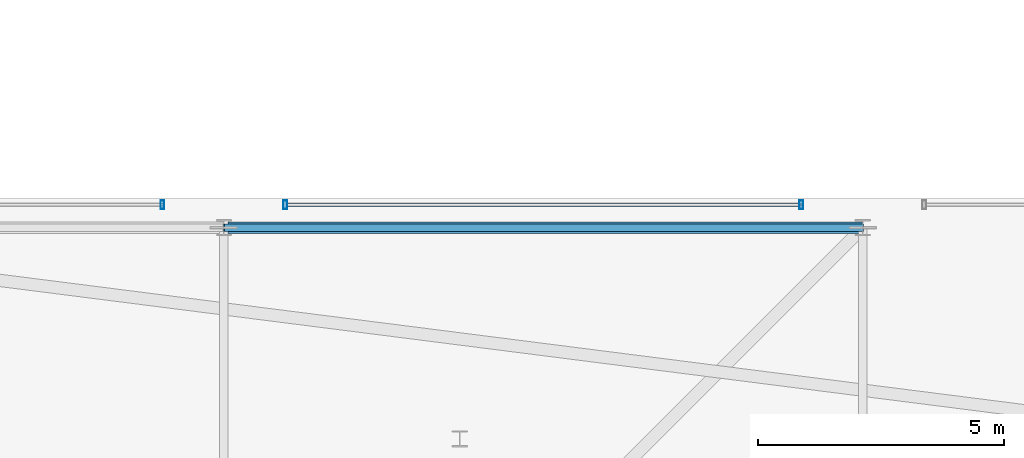
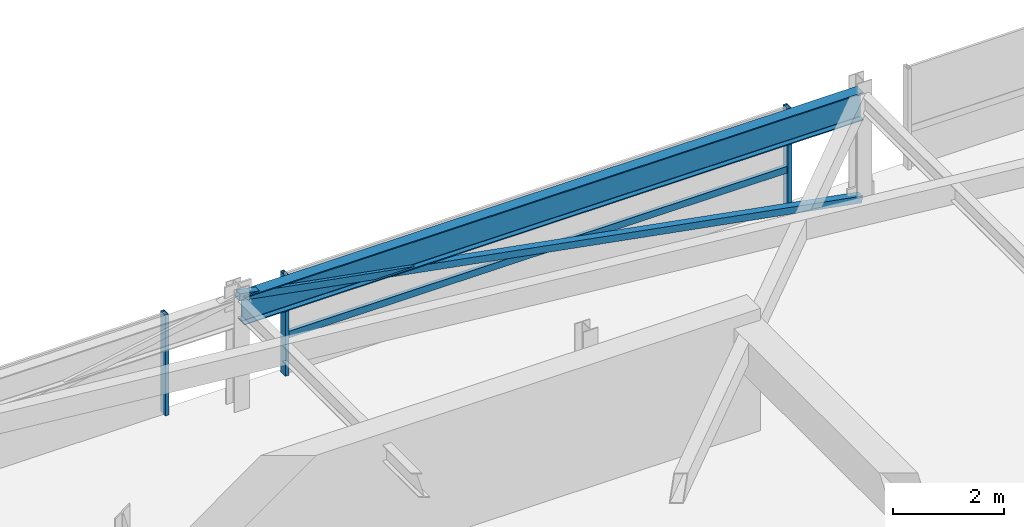
# One storey, part 26 of 44: 5 members, 1 beam, 2 elements without a shape of their own.
"""IFC4 building model written with IfcOpenShell, lengths in metres."""

from ifc_helpers import new_model, si_unit, direction, frame, origin, origin_2d, place, context, subcontext, project, spatial, hollow_rectangle, i_section, extrude, material, material_profile, profile_set, type_object, element, aggregate, save


model = new_model("IFC4")

# Units and contexts
model_context = context("Model", 3, precision=1e-05, world=origin(), true_north=direction((0.0, 1.0)))
body_context = subcontext(model_context, "Body", "Model", "MODEL_VIEW")
ifc_project = project(units=[si_unit("LENGTHUNIT", "METRE"), si_unit("AREAUNIT", "SQUARE_METRE"), si_unit("VOLUMEUNIT", "CUBIC_METRE"), si_unit("PLANEANGLEUNIT", "RADIAN"), si_unit("MASSUNIT", "GRAM", prefix="KILO")], contexts=[model_context])

# Site, building, storey
site_placement = place(None, origin())
site = spatial("IfcSite", under=ifc_project, at=site_placement, CompositionType="ELEMENT")
building_placement = place(site_placement, origin())
building = spatial("IfcBuilding", under=site, at=building_placement, Name="Thornwick Lancets Civic Towers", CompositionType="ELEMENT")
storey_placement = place(building_placement, frame((0.0, 0.0, 294.89990234375)))
storey = spatial("IfcBuildingStorey", under=building, at=storey_placement, Name="C06", CompositionType="ELEMENT", Elevation=294.89990234375)

# Beam
ifc_material_1 = material(Name="Steel S355JR", Category="steel")
ifc_material_profile_1 = material_profile(ifc_material_1, i_section(OverallWidth=0.230224609375, OverallDepth=0.6171875, WebThickness=0.01318359375, FlangeThickness=0.022216796875, FilletRadius=0.0126953125, at=origin_2d()), Name="UKB 610x229x140")
ifc_profile_set_1 = profile_set([ifc_material_profile_1], Name="Steel S355JR")
beam_type = type_object("IfcBeamType", Name="BM_GIRD_610_140", PredefinedType="BEAM", material=ifc_profile_set_1)
beam_placement = place(storey_placement, frame((25.580078125, 44.300048828125, 2.131591796875), z_axis=(1.0, 0.0, 0.0), x_axis=(0.0, 1.0, 0.0)))
element("IfcBeam", 1, at=beam_placement, inside=storey, type_object=beam_type, Name="BM-SPINE-C06-A-7-8", PredefinedType="BEAM", context=body_context, shape_type="SweptSolid", body=[
    extrude(i_section(OverallWidth=0.230224609375, OverallDepth=0.6171875, WebThickness=0.01318359375, FlangeThickness=0.022216796875, FilletRadius=0.0126953125, at=origin_2d()), origin(), (0.0, 0.0, 1.0), 12.919921875),
])

# Curtain wall, members
ifc_material_2 = material(Name="Crown ring acoustic-louvre and glazing screen wall", Category="glass")
curtain_wall_type = type_object("IfcCurtainWallType", Name="CW_SYS_07", PredefinedType="NOTDEFINED", material=ifc_material_2)
curtain_wall_1_placement = place(storey_placement, origin())
curtain_wall_1 = element("IfcCurtainWall", 2, at=curtain_wall_1_placement, inside=storey, type_object=curtain_wall_type, Name="C06 Curtain Wall CW-C06-A-E4-S2", PredefinedType="NOTDEFINED")
ifc_material_3 = material(Name="Thermally broken bronze aluminium S355", Category="steel")
ifc_material_profile_2 = material_profile(ifc_material_3, hollow_rectangle(XDim=0.074951171875, YDim=0.179931640625, WallThickness=0.006103515625, at=origin_2d()), Name="RHS 180x75x6")
ifc_profile_set_2 = profile_set([ifc_material_profile_2], Name="Thermally broken bronze aluminium S355")
member_type_1 = type_object("IfcMemberType", Name="CW_MUL_180", PredefinedType="MULLION", material=ifc_profile_set_2)
member_1_placement = place(storey_placement, frame((37.25, 44.7646484375, 0.0), z_axis=(0.0, 0.0, 1.0), x_axis=(1.0, 0.0, 0.0)))
member_1 = element("IfcMember", 3, at=member_1_placement, type_object=member_type_1, Name="CW-C06-A-E4-S2 Mullion 0", PredefinedType="MULLION", context=body_context, shape_type="SweptSolid", body=[
    extrude(hollow_rectangle(XDim=0.074951171875, YDim=0.179931640625, WallThickness=0.006103515625, at=origin_2d()), origin(), (0.0, 0.0, 1.0), 2.22021484375),
])
member_2_placement = place(storey_placement, frame((26.75, 44.7646484375, 0.0), z_axis=(0.0, 0.0, 1.0), x_axis=(1.0, 0.0, 0.0)))
member_2 = element("IfcMember", 4, at=member_2_placement, type_object=member_type_1, Name="CW-C06-A-E4-S2 Mullion 1", PredefinedType="MULLION", context=body_context, shape_type="SweptSolid", body=[
    extrude(hollow_rectangle(XDim=0.074951171875, YDim=0.179931640625, WallThickness=0.006103515625, at=origin_2d()), origin(), (0.0, 0.0, 1.0), 2.22021484375),
])

# Curtain wall, member
curtain_wall_2_placement = place(storey_placement, origin())
curtain_wall_2 = element("IfcCurtainWall", 5, at=curtain_wall_2_placement, inside=storey, type_object=curtain_wall_type, Name="C06 Curtain Wall CW-C06-A-E4-S3", PredefinedType="NOTDEFINED")
member_3_placement = place(storey_placement, frame((24.25, 44.7646484375, 0.0), z_axis=(0.0, 0.0, 1.0), x_axis=(1.0, 0.0, 0.0)))
member_3 = element("IfcMember", 6, at=member_3_placement, type_object=member_type_1, Name="CW-C06-A-E4-S3 Mullion 0", PredefinedType="MULLION", context=body_context, shape_type="SweptSolid", body=[
    extrude(hollow_rectangle(XDim=0.074951171875, YDim=0.179931640625, WallThickness=0.006103515625, at=origin_2d()), origin(), (0.0, 0.0, 1.0), 2.22021484375),
])
aggregate(curtain_wall_2, [member_3])

# Member
ifc_material_profile_3 = material_profile(ifc_material_3, hollow_rectangle(XDim=0.074951171875, YDim=0.14990234375, WallThickness=0.0048828125, at=origin_2d()), Name="RHS 150x75x5")
ifc_profile_set_3 = profile_set([ifc_material_profile_3], Name="Thermally broken bronze aluminium S355")
member_type_2 = type_object("IfcMemberType", Name="CW_TRN_150", PredefinedType="USERDEFINED", material=ifc_profile_set_3)
member_4_placement = place(storey_placement, frame((37.22998046875, 44.7646484375, 0.85009765625), z_axis=(-1.0, 0.0, 0.0), x_axis=(0.0, -1.0, 0.0)))
member_4 = element("IfcMember", 7, at=member_4_placement, type_object=member_type_2, Name="CW-C06-A-E4-S2 Transom 0", ObjectType="TRANSOM", PredefinedType="USERDEFINED", context=body_context, shape_type="SweptSolid", body=[
    extrude(hollow_rectangle(XDim=0.074951171875, YDim=0.14990234375, WallThickness=0.0048828125, at=origin_2d()), origin(), (0.0, 0.0, 1.0), 10.4599609375),
])

aggregate(curtain_wall_1, [member_1, member_2, member_4])

ifc_material_profile_4 = material_profile(ifc_material_1, hollow_rectangle(XDim=0.14990234375, YDim=0.14990234375, WallThickness=0.010009765625, at=origin_2d()), Name="SHS 150x150x10")
ifc_profile_set_4 = profile_set([ifc_material_profile_4], Name="Steel S355JR")
member_type_3 = type_object("IfcMemberType", Name="MEM_CROWN_SHS150", PredefinedType="BRACE", material=ifc_profile_set_4)
member_5_placement = place(storey_placement, frame((38.5, 44.300048828125, 0.050048828125), z_axis=(-0.983515136313, 0.0, 0.180825818519), x_axis=(0.0, -1.0, 0.0)))
element("IfcMember", 8, at=member_5_placement, inside=storey, type_object=member_type_3, Name="C06 Crown Ring Lancet Rib A-S2-R", PredefinedType="BRACE", context=body_context, shape_type="SweptSolid", body=[
    extrude(hollow_rectangle(XDim=0.14990234375, YDim=0.14990234375, WallThickness=0.010009765625, at=origin_2d()), origin(), (0.0, 0.0, 1.0), 13.2177734375),
])

save(model, "model.ifc")
